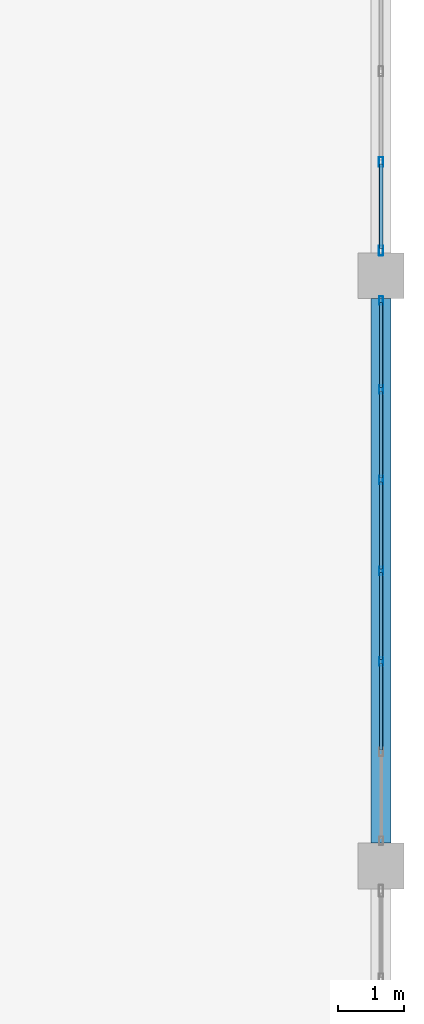
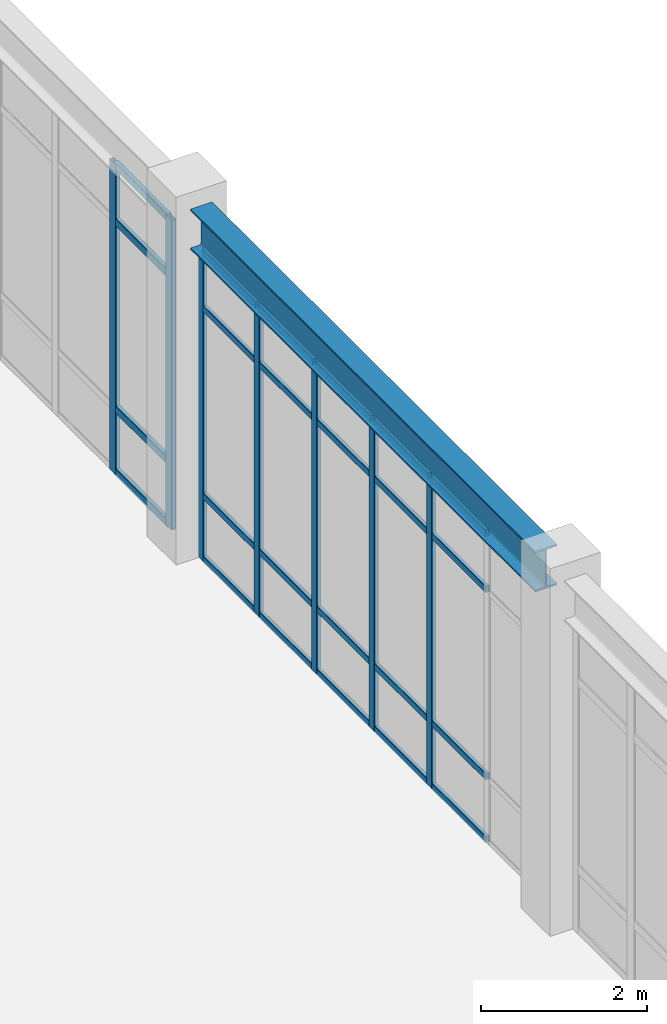
# One storey, part 51 of 80: 31 members, 1 beam, 2 elements without a shape of their own.
"""IFC4 building model written with IfcOpenShell, lengths in metres."""

import ifcopenshell
import ifcopenshell.guid

model = None  # the IFC model being written
_history = None  # IfcOwnerHistory: only IFC2X3 demands one
_inside = {}  # id of a spatial element -> (the spatial element, [elements in it])
_under = {}  # id of a project, library or spatial element -> (it, [spatial elements below it])
_declared = {}  # id of a project -> (the project, [libraries it declares])
_typed = {}  # id of a type object -> (the type object, [elements of that type])
_made_of = {}  # id of a material, layer set ... -> (it, [elements and type objects made of it])


def new_model(schema):
    """Start an empty IFC model of exactly this schema.

    Asked for "IFC4X3", IfcOpenShell would pick the latest addendum, in which some entities
    have other attributes; the version numbers below select the first issue.
    IFC2X3 requires an IfcOwnerHistory on every rooted entity: one is made here for all.
    """
    global model, _history
    if schema == "IFC4X3":
        model = ifcopenshell.file(schema_version=(4, 3, 0, 0))
    else:
        model = ifcopenshell.file(schema=schema)
    _inside.clear()
    _under.clear()
    _declared.clear()
    _typed.clear()
    _made_of.clear()
    _history = None
    if model.schema == "IFC2X3":
        org = make("IfcOrganization", Name="unknown")
        user = make(
            "IfcPersonAndOrganization",
            ThePerson=make("IfcPerson", FamilyName="unknown"),
            TheOrganization=org,
        )
        app = make(
            "IfcApplication",
            ApplicationDeveloper=org,
            Version="unknown",
            ApplicationFullName="unknown",
            ApplicationIdentifier="unknown",
        )
        _history = make(
            "IfcOwnerHistory",
            OwningUser=user,
            OwningApplication=app,
            ChangeAction="ADDED",
            CreationDate=0,
        )
    return model


def make(cls, **values):
    """One entity of the class cls with the attributes given. An attribute that is None is left unset."""
    return model.create_entity(
        cls, **{name: value for name, value in values.items() if value is not None}
    )


def rooted(cls, **values):
    """An entity with a GlobalId (a new one), such as an element, a storey or a relation."""
    return make(cls, GlobalId=ifcopenshell.guid.new(), OwnerHistory=_history, **values)


def si_unit(unit_type, name, prefix=None):
    """IfcSIUnit, for example si_unit("LENGTHUNIT", "METRE", prefix="MILLI")."""
    return make("IfcSIUnit", UnitType=unit_type, Prefix=prefix, Name=name)


def assignment(units):
    """IfcUnitAssignment: the units of a project."""
    return None if units is None else make("IfcUnitAssignment", Units=units)


def point(xyz):
    """IfcCartesianPoint."""
    return None if xyz is None else make("IfcCartesianPoint", Coordinates=xyz)


def direction(xyz):
    """IfcDirection."""
    return None if xyz is None else make("IfcDirection", DirectionRatios=xyz)


def frame(location, z_axis=None, x_axis=None):
    """IfcAxis2Placement3D, a coordinate frame: its origin and axes. An axis left out is left unset."""
    return make(
        "IfcAxis2Placement3D",
        Location=point(location),
        Axis=direction(z_axis),
        RefDirection=direction(x_axis),
    )


def frame_2d(location, x_axis=None):
    """IfcAxis2Placement2D, a coordinate frame in the plane: its origin and x axis."""
    return make(
        "IfcAxis2Placement2D", Location=point(location), RefDirection=direction(x_axis)
    )


def origin():
    """The frame at (0, 0, 0) with its axes left unset."""
    return frame((0.0, 0.0, 0.0))


def origin_2d():
    """The frame at (0, 0) in the plane with its x axis left unset."""
    return frame_2d((0.0, 0.0))


def place(relative_to, where):
    """IfcLocalPlacement: puts the frame where relative to a parent placement (None: the world)."""
    return make(
        "IfcLocalPlacement", PlacementRelTo=relative_to, RelativePlacement=where
    )


def context(
    kind, dimensions, precision=None, world=None, true_north=None, identifier=None
):
    """IfcGeometricRepresentationContext, for example the 3D "Model" context."""
    return make(
        "IfcGeometricRepresentationContext",
        ContextIdentifier=identifier,
        ContextType=kind,
        CoordinateSpaceDimension=dimensions,
        Precision=precision,
        WorldCoordinateSystem=world,
        TrueNorth=true_north,
    )


def subcontext(parent, identifier, kind, view, scale=None):
    """IfcGeometricRepresentationSubContext, for example "Body" below "Model"."""
    return make(
        "IfcGeometricRepresentationSubContext",
        ContextIdentifier=identifier,
        ContextType=kind,
        ParentContext=parent,
        TargetScale=scale,
        TargetView=view,
    )


def project(units=None, contexts=None):
    """IfcProject with its units and contexts."""
    return rooted(
        "IfcProject",
        Name="project",
        RepresentationContexts=contexts,
        UnitsInContext=assignment(units),
    )


def spatial(cls, under=None, at=None, **own):
    """A site, building, storey or space (cls), placed at a placement, below another one or the project."""
    s = rooted(cls, ObjectPlacement=at, **own)
    if under is not None:
        _under.setdefault(under.id(), (under, []))[1].append(s)
    return s


def profile(cls, at=None, kind="AREA", **sizes):
    """A parametric profile (cls). Its sizes go by their IFC names, for example OverallWidth=200.0."""
    return make(cls, ProfileType=kind, Position=at, **sizes)


def hollow_rectangle(**sizes):
    """IfcRectangleHollowProfileDef."""
    return profile("IfcRectangleHollowProfileDef", **sizes)


def i_section(**sizes):
    """IfcIShapeProfileDef."""
    return profile("IfcIShapeProfileDef", **sizes)


def extrude(swept, where, along, depth):
    """IfcExtrudedAreaSolid: the profile swept, set in the frame where, extruded along a direction by depth."""
    return make(
        "IfcExtrudedAreaSolid",
        SweptArea=swept,
        Position=where,
        ExtrudedDirection=direction(along),
        Depth=depth,
    )


def shape(context_of_items, identifier, shape_type, items):
    """IfcShapeRepresentation: the items that make up one representation, for example the "Body"."""
    return make(
        "IfcShapeRepresentation",
        ContextOfItems=context_of_items,
        RepresentationIdentifier=identifier,
        RepresentationType=shape_type,
        Items=items,
    )


def material(Name=None, Category=None):
    """IfcMaterial."""
    return make("IfcMaterial", Name=Name, Category=Category)


def material_profile(
    of_material, cross_section, Name=None, Category=None, Priority=None
):
    """IfcMaterialProfile: a cross section and its material."""
    return make(
        "IfcMaterialProfile",
        Name=Name,
        Material=of_material,
        Profile=cross_section,
        Priority=Priority,
        Category=Category,
    )


def profile_set(profiles, Name=None, composite=None):
    """IfcMaterialProfileSet."""
    return make(
        "IfcMaterialProfileSet",
        Name=Name,
        MaterialProfiles=profiles,
        CompositeProfile=composite,
    )


def made_of(thing, what):
    """Note that an element or type object is made of a material, layer set ...; save() writes the relation."""
    if what is not None:
        _made_of.setdefault(what.id(), (what, []))[1].append(thing)
    return thing


def type_object(cls, material=None, **own):
    """A type object (cls), such as IfcWallType, which elements share."""
    return made_of(rooted(cls, **own), material)


def element(
    cls,
    number,
    at=None,
    inside=None,
    cuts=None,
    type_object=None,
    material=None,
    context=None,
    identifier="Body",
    shape_type=None,
    held_by="IfcProductDefinitionShape",
    body=None,
    shapes=None,
    **own,
):
    """One element of the class cls, such as IfcWall. Its Tag is "e" and its number.

    at: its placement. inside: the storey or other place that contains it. cuts: it is an
    opening in that element (IfcRelVoidsElement). A single representation is given by context,
    identifier, shape_type and body (its items); several are given by shapes. held_by: the class
    of the entity that holds the representations. save() writes the other relations.
    """
    e = rooted(cls, Tag="e%d" % number, ObjectPlacement=at, **own)
    if body is not None:
        shapes = [shape(context, identifier, shape_type, body)]
    if shapes is not None:
        e.Representation = make(held_by, Representations=shapes)
    if inside is not None:
        _inside.setdefault(inside.id(), (inside, []))[1].append(e)
    if cuts is not None:
        rooted(
            "IfcRelVoidsElement", RelatingBuildingElement=cuts, RelatedOpeningElement=e
        )
    if type_object is not None:
        _typed.setdefault(type_object.id(), (type_object, []))[1].append(e)
    return made_of(e, material)


def aggregate(whole, parts):
    """IfcRelAggregates: a whole, such as a stair, and the parts it consists of."""
    return rooted("IfcRelAggregates", RelatingObject=whole, RelatedObjects=parts)


def save(model, path):
    """Write the relations noted so far, then the file.

    IfcRelAggregates (storeys below a building ...), IfcRelContainedInSpatialStructure (elements
    in a storey), IfcRelDefinesByType, IfcRelAssociatesMaterial and IfcRelDeclares: one each for
    every whole, place, type object, material and project.
    """
    for whole, parts in _under.values():
        aggregate(whole, parts)
    for where, things in _inside.values():
        rooted(
            "IfcRelContainedInSpatialStructure",
            RelatedElements=things,
            RelatingStructure=where,
        )
    for kind, things in _typed.values():
        rooted("IfcRelDefinesByType", RelatedObjects=things, RelatingType=kind)
    for what, things in _made_of.values():
        rooted("IfcRelAssociatesMaterial", RelatedObjects=things, RelatingMaterial=what)
    for by, libraries in _declared.values():
        rooted("IfcRelDeclares", RelatingContext=by, RelatedDefinitions=libraries)
    model.write(path)


model = new_model("IFC4")

# Units and contexts
model_context = context("Model", 3, precision=1e-05, world=origin(), true_north=direction((0.0, 1.0)))
body_context = subcontext(model_context, "Body", "Model", "MODEL_VIEW")
ifc_project = project(units=[si_unit("LENGTHUNIT", "METRE"), si_unit("AREAUNIT", "SQUARE_METRE"), si_unit("VOLUMEUNIT", "CUBIC_METRE"), si_unit("PLANEANGLEUNIT", "RADIAN"), si_unit("MASSUNIT", "GRAM", prefix="KILO")], contexts=[model_context])

# Site, building, storey
site_placement = place(None, origin())
site = spatial("IfcSite", under=ifc_project, at=site_placement, CompositionType="ELEMENT")
building_placement = place(site_placement, origin())
building = spatial("IfcBuilding", under=site, at=building_placement, Name="Canglan Escarpment Cableway Terminal", CompositionType="ELEMENT")
storey_placement = place(building_placement, frame((0.0, 0.0, 19.199951171875)))
storey = spatial("IfcBuildingStorey", under=building, at=storey_placement, Name="L04", CompositionType="ELEMENT", Elevation=19.199951171875)

# Beam
ifc_material_1 = material(Name="Steel Q355C", Category="steel")
ifc_material_profile_1 = material_profile(ifc_material_1, i_section(OverallWidth=0.302001953125, OverallDepth=0.593994140625, WebThickness=0.013916015625, FlangeThickness=0.02294921875, FilletRadius=0.028076171875, at=origin_2d()), Name="HM 594x302x14x23")
ifc_profile_set_1 = profile_set([ifc_material_profile_1], Name="Steel Q355C")
beam_type = type_object("IfcBeamType", Name="BM-HM594", PredefinedType="BEAM", material=ifc_profile_set_1)
beam_placement = place(storey_placement, frame((166.39990234375, 106.35009765625, 4.863037109375), z_axis=(0.0, 1.0, 0.0), x_axis=(-1.0, 0.0, 0.0)))
element("IfcBeam", 1, at=beam_placement, inside=storey, type_object=beam_type, Name="Primary transverse girder B-07", PredefinedType="BEAM", context=body_context, shape_type="SweptSolid", body=[
    extrude(i_section(OverallWidth=0.302001953125, OverallDepth=0.593994140625, WebThickness=0.013916015625, FlangeThickness=0.02294921875, FilletRadius=0.028076171875, at=origin_2d()), origin(), (0.0, 0.0, 1.0), 8.2998046875),
])

# Curtain wall, members
ifc_material_2 = material(Name="Anodized bronze aluminium and Low-E double glazing", Category="aluminium")
curtain_wall_type = type_object("IfcCurtainWallType", Name="CW-BAY-8300x4550", PredefinedType="NOTDEFINED", material=ifc_material_2)
curtain_wall_1_placement = place(storey_placement, origin())
curtain_wall_1 = element("IfcCurtainWall", 2, at=curtain_wall_1_placement, inside=storey, type_object=curtain_wall_type, Name="Classical bay-between-piers glazed curtain wall CW-64", PredefinedType="NOTDEFINED")
ifc_material_3 = material(Name="Thermally broken anodized aluminium 6063-T6", Category="aluminium")
ifc_material_profile_2 = material_profile(ifc_material_3, hollow_rectangle(XDim=0.06005859375, YDim=0.1298828125, WallThickness=0.0029296875, InnerFilletRadius=0.0029296875, OuterFilletRadius=0.006103515625, at=origin_2d()), Name="ALU-MULL 60x130x3")
ifc_profile_set_2 = profile_set([ifc_material_profile_2], Name="Thermally broken anodized aluminium 6063-T6")
member_type_1 = type_object("IfcMemberType", Name="CWM-01", PredefinedType="MULLION", material=ifc_profile_set_2)
member_1_placement = place(storey_placement, frame((166.39990234375, 109.11669921875, 0.0), z_axis=(0.0, 0.0, 1.0), x_axis=(-1.0, 0.0, 0.0)))
member_1 = element("IfcMember", 3, at=member_1_placement, type_object=member_type_1, Name="CW-64 mullion 3", PredefinedType="MULLION", context=body_context, shape_type="SweptSolid", body=[
    extrude(hollow_rectangle(XDim=0.06005859375, YDim=0.1298828125, WallThickness=0.0029296875, InnerFilletRadius=0.0029296875, OuterFilletRadius=0.006103515625, at=origin_2d()), origin(), (0.0, 0.0, 1.0), 4.551025390625),
])
member_2_placement = place(storey_placement, frame((166.39990234375, 110.5, 0.0), z_axis=(0.0, 0.0, 1.0), x_axis=(-1.0, 0.0, 0.0)))
member_2 = element("IfcMember", 4, at=member_2_placement, type_object=member_type_1, Name="CW-64 mullion 4", PredefinedType="MULLION", context=body_context, shape_type="SweptSolid", body=[
    extrude(hollow_rectangle(XDim=0.06005859375, YDim=0.1298828125, WallThickness=0.0029296875, InnerFilletRadius=0.0029296875, OuterFilletRadius=0.006103515625, at=origin_2d()), origin(), (0.0, 0.0, 1.0), 4.551025390625),
])
member_3_placement = place(storey_placement, frame((166.39990234375, 111.88330078125, 0.0), z_axis=(0.0, 0.0, 1.0), x_axis=(-1.0, 0.0, 0.0)))
member_3 = element("IfcMember", 5, at=member_3_placement, type_object=member_type_1, Name="CW-64 mullion 5", PredefinedType="MULLION", context=body_context, shape_type="SweptSolid", body=[
    extrude(hollow_rectangle(XDim=0.06005859375, YDim=0.1298828125, WallThickness=0.0029296875, InnerFilletRadius=0.0029296875, OuterFilletRadius=0.006103515625, at=origin_2d()), origin(), (0.0, 0.0, 1.0), 4.551025390625),
])
member_4_placement = place(storey_placement, frame((166.39990234375, 113.2666015625, 0.0), z_axis=(0.0, 0.0, 1.0), x_axis=(-1.0, 0.0, 0.0)))
member_4 = element("IfcMember", 6, at=member_4_placement, type_object=member_type_1, Name="CW-64 mullion 6", PredefinedType="MULLION", context=body_context, shape_type="SweptSolid", body=[
    extrude(hollow_rectangle(XDim=0.06005859375, YDim=0.1298828125, WallThickness=0.0029296875, InnerFilletRadius=0.0029296875, OuterFilletRadius=0.006103515625, at=origin_2d()), origin(), (0.0, 0.0, 1.0), 4.551025390625),
])
member_5_placement = place(storey_placement, frame((166.39990234375, 114.6201171875, 0.0), z_axis=(0.0, 0.0, 1.0), x_axis=(-1.0, 0.0, 0.0)))
member_5 = element("IfcMember", 7, at=member_5_placement, type_object=member_type_1, Name="CW-64 mullion 7", PredefinedType="MULLION", context=body_context, shape_type="SweptSolid", body=[
    extrude(hollow_rectangle(XDim=0.06005859375, YDim=0.1298828125, WallThickness=0.0029296875, InnerFilletRadius=0.0029296875, OuterFilletRadius=0.006103515625, at=origin_2d()), origin(), (0.0, 0.0, 1.0), 4.551025390625),
])

curtain_wall_2_placement = place(storey_placement, origin())
curtain_wall_2 = element("IfcCurtainWall", 8, at=curtain_wall_2_placement, inside=storey, type_object=curtain_wall_type, Name="Classical bay-between-piers glazed curtain wall CW-64", PredefinedType="NOTDEFINED")
ifc_material_profile_3 = material_profile(ifc_material_3, hollow_rectangle(XDim=0.06494140625, YDim=0.14990234375, WallThickness=0.00341796875, InnerFilletRadius=0.00341796875, OuterFilletRadius=0.007080078125, at=origin_2d()), Name="ALU-MULL 65x150x3.5")
ifc_profile_set_3 = profile_set([ifc_material_profile_3], Name="Thermally broken anodized aluminium 6063-T6")
member_type_2 = type_object("IfcMemberType", Name="CWM-02", PredefinedType="MULLION", material=ifc_profile_set_3)
member_6_placement = place(storey_placement, frame((166.39990234375, 115.382568359375, 0.0), z_axis=(0.0, 0.0, 1.0), x_axis=(-1.0, 0.0, 0.0)))
member_6 = element("IfcMember", 9, at=member_6_placement, type_object=member_type_2, Name="CW-64 mullion 1", PredefinedType="MULLION", context=body_context, shape_type="SweptSolid", body=[
    extrude(hollow_rectangle(XDim=0.06494140625, YDim=0.14990234375, WallThickness=0.00341796875, InnerFilletRadius=0.00341796875, OuterFilletRadius=0.007080078125, at=origin_2d()), origin(), (0.0, 0.0, 1.0), 4.551025390625),
])
member_7_placement = place(storey_placement, frame((166.39990234375, 116.7333984375, 0.0), z_axis=(0.0, 0.0, 1.0), x_axis=(-1.0, 0.0, 0.0)))
member_7 = element("IfcMember", 10, at=member_7_placement, type_object=member_type_2, Name="CW-64 mullion 2", PredefinedType="MULLION", context=body_context, shape_type="SweptSolid", body=[
    extrude(hollow_rectangle(XDim=0.06494140625, YDim=0.14990234375, WallThickness=0.00341796875, InnerFilletRadius=0.00341796875, OuterFilletRadius=0.007080078125, at=origin_2d()), origin(), (0.0, 0.0, 1.0), 4.551025390625),
])

# Member
ifc_material_profile_4 = material_profile(ifc_material_3, hollow_rectangle(XDim=0.054931640625, YDim=0.094970703125, WallThickness=0.0029296875, InnerFilletRadius=0.0029296875, OuterFilletRadius=0.006103515625, at=origin_2d()), Name="ALU-TRAN 55x95x3")
ifc_profile_set_4 = profile_set([ifc_material_profile_4], Name="Thermally broken anodized aluminium 6063-T6")
member_type_3 = type_object("IfcMemberType", Name="CWT-01", PredefinedType="USERDEFINED", material=ifc_profile_set_4)
member_8_placement = place(storey_placement, frame((166.39990234375, 107.763427734375, 0.027587890625), z_axis=(0.0, 1.0, 0.0), x_axis=(-1.0, 0.0, 0.0)))
member_8 = element("IfcMember", 11, at=member_8_placement, type_object=member_type_3, Name="CW-64 transom 2.1", ObjectType="TRANSOM", PredefinedType="USERDEFINED", context=body_context, shape_type="SweptSolid", body=[
    extrude(hollow_rectangle(XDim=0.054931640625, YDim=0.094970703125, WallThickness=0.0029296875, InnerFilletRadius=0.0029296875, OuterFilletRadius=0.006103515625, at=origin_2d()), origin(), (0.0, 0.0, 1.0), 1.3232421875),
])

member_9_placement = place(storey_placement, frame((166.39990234375, 107.763427734375, 0.949951171875), z_axis=(0.0, 1.0, 0.0), x_axis=(-1.0, 0.0, 0.0)))
member_9 = element("IfcMember", 12, at=member_9_placement, type_object=member_type_3, Name="CW-64 transom 2.2", ObjectType="TRANSOM", PredefinedType="USERDEFINED", context=body_context, shape_type="SweptSolid", body=[
    extrude(hollow_rectangle(XDim=0.054931640625, YDim=0.094970703125, WallThickness=0.0029296875, InnerFilletRadius=0.0029296875, OuterFilletRadius=0.006103515625, at=origin_2d()), origin(), (0.0, 0.0, 1.0), 1.3232421875),
])

member_10_placement = place(storey_placement, frame((166.39990234375, 107.763427734375, 3.700927734375), z_axis=(0.0, 1.0, 0.0), x_axis=(-1.0, 0.0, 0.0)))
member_10 = element("IfcMember", 13, at=member_10_placement, type_object=member_type_3, Name="CW-64 transom 2.3", ObjectType="TRANSOM", PredefinedType="USERDEFINED", context=body_context, shape_type="SweptSolid", body=[
    extrude(hollow_rectangle(XDim=0.054931640625, YDim=0.094970703125, WallThickness=0.0029296875, InnerFilletRadius=0.0029296875, OuterFilletRadius=0.006103515625, at=origin_2d()), origin(), (0.0, 0.0, 1.0), 1.3232421875),
])

member_11_placement = place(storey_placement, frame((166.39990234375, 107.763427734375, 4.5234375), z_axis=(0.0, 1.0, 0.0), x_axis=(-1.0, 0.0, 0.0)))
member_11 = element("IfcMember", 14, at=member_11_placement, type_object=member_type_3, Name="CW-64 transom 2.4", ObjectType="TRANSOM", PredefinedType="USERDEFINED", context=body_context, shape_type="SweptSolid", body=[
    extrude(hollow_rectangle(XDim=0.054931640625, YDim=0.094970703125, WallThickness=0.0029296875, InnerFilletRadius=0.0029296875, OuterFilletRadius=0.006103515625, at=origin_2d()), origin(), (0.0, 0.0, 1.0), 1.3232421875),
])

member_12_placement = place(storey_placement, frame((166.39990234375, 109.146728515625, 0.027587890625), z_axis=(0.0, 1.0, 0.0), x_axis=(-1.0, 0.0, 0.0)))
member_12 = element("IfcMember", 15, at=member_12_placement, type_object=member_type_3, Name="CW-64 transom 3.1", ObjectType="TRANSOM", PredefinedType="USERDEFINED", context=body_context, shape_type="SweptSolid", body=[
    extrude(hollow_rectangle(XDim=0.054931640625, YDim=0.094970703125, WallThickness=0.0029296875, InnerFilletRadius=0.0029296875, OuterFilletRadius=0.006103515625, at=origin_2d()), origin(), (0.0, 0.0, 1.0), 1.3232421875),
])

member_13_placement = place(storey_placement, frame((166.39990234375, 109.146728515625, 0.949951171875), z_axis=(0.0, 1.0, 0.0), x_axis=(-1.0, 0.0, 0.0)))
member_13 = element("IfcMember", 16, at=member_13_placement, type_object=member_type_3, Name="CW-64 transom 3.2", ObjectType="TRANSOM", PredefinedType="USERDEFINED", context=body_context, shape_type="SweptSolid", body=[
    extrude(hollow_rectangle(XDim=0.054931640625, YDim=0.094970703125, WallThickness=0.0029296875, InnerFilletRadius=0.0029296875, OuterFilletRadius=0.006103515625, at=origin_2d()), origin(), (0.0, 0.0, 1.0), 1.3232421875),
])

member_14_placement = place(storey_placement, frame((166.39990234375, 109.146728515625, 3.700927734375), z_axis=(0.0, 1.0, 0.0), x_axis=(-1.0, 0.0, 0.0)))
member_14 = element("IfcMember", 17, at=member_14_placement, type_object=member_type_3, Name="CW-64 transom 3.3", ObjectType="TRANSOM", PredefinedType="USERDEFINED", context=body_context, shape_type="SweptSolid", body=[
    extrude(hollow_rectangle(XDim=0.054931640625, YDim=0.094970703125, WallThickness=0.0029296875, InnerFilletRadius=0.0029296875, OuterFilletRadius=0.006103515625, at=origin_2d()), origin(), (0.0, 0.0, 1.0), 1.3232421875),
])

member_15_placement = place(storey_placement, frame((166.39990234375, 109.146728515625, 4.5234375), z_axis=(0.0, 1.0, 0.0), x_axis=(-1.0, 0.0, 0.0)))
member_15 = element("IfcMember", 18, at=member_15_placement, type_object=member_type_3, Name="CW-64 transom 3.4", ObjectType="TRANSOM", PredefinedType="USERDEFINED", context=body_context, shape_type="SweptSolid", body=[
    extrude(hollow_rectangle(XDim=0.054931640625, YDim=0.094970703125, WallThickness=0.0029296875, InnerFilletRadius=0.0029296875, OuterFilletRadius=0.006103515625, at=origin_2d()), origin(), (0.0, 0.0, 1.0), 1.3232421875),
])

member_16_placement = place(storey_placement, frame((166.39990234375, 110.530029296875, 0.027587890625), z_axis=(0.0, 1.0, 0.0), x_axis=(-1.0, 0.0, 0.0)))
member_16 = element("IfcMember", 19, at=member_16_placement, type_object=member_type_3, Name="CW-64 transom 4.1", ObjectType="TRANSOM", PredefinedType="USERDEFINED", context=body_context, shape_type="SweptSolid", body=[
    extrude(hollow_rectangle(XDim=0.054931640625, YDim=0.094970703125, WallThickness=0.0029296875, InnerFilletRadius=0.0029296875, OuterFilletRadius=0.006103515625, at=origin_2d()), origin(), (0.0, 0.0, 1.0), 1.3232421875),
])

member_17_placement = place(storey_placement, frame((166.39990234375, 110.530029296875, 0.949951171875), z_axis=(0.0, 1.0, 0.0), x_axis=(-1.0, 0.0, 0.0)))
member_17 = element("IfcMember", 20, at=member_17_placement, type_object=member_type_3, Name="CW-64 transom 4.2", ObjectType="TRANSOM", PredefinedType="USERDEFINED", context=body_context, shape_type="SweptSolid", body=[
    extrude(hollow_rectangle(XDim=0.054931640625, YDim=0.094970703125, WallThickness=0.0029296875, InnerFilletRadius=0.0029296875, OuterFilletRadius=0.006103515625, at=origin_2d()), origin(), (0.0, 0.0, 1.0), 1.3232421875),
])

member_18_placement = place(storey_placement, frame((166.39990234375, 110.530029296875, 3.700927734375), z_axis=(0.0, 1.0, 0.0), x_axis=(-1.0, 0.0, 0.0)))
member_18 = element("IfcMember", 21, at=member_18_placement, type_object=member_type_3, Name="CW-64 transom 4.3", ObjectType="TRANSOM", PredefinedType="USERDEFINED", context=body_context, shape_type="SweptSolid", body=[
    extrude(hollow_rectangle(XDim=0.054931640625, YDim=0.094970703125, WallThickness=0.0029296875, InnerFilletRadius=0.0029296875, OuterFilletRadius=0.006103515625, at=origin_2d()), origin(), (0.0, 0.0, 1.0), 1.3232421875),
])

member_19_placement = place(storey_placement, frame((166.39990234375, 110.530029296875, 4.5234375), z_axis=(0.0, 1.0, 0.0), x_axis=(-1.0, 0.0, 0.0)))
member_19 = element("IfcMember", 22, at=member_19_placement, type_object=member_type_3, Name="CW-64 transom 4.4", ObjectType="TRANSOM", PredefinedType="USERDEFINED", context=body_context, shape_type="SweptSolid", body=[
    extrude(hollow_rectangle(XDim=0.054931640625, YDim=0.094970703125, WallThickness=0.0029296875, InnerFilletRadius=0.0029296875, OuterFilletRadius=0.006103515625, at=origin_2d()), origin(), (0.0, 0.0, 1.0), 1.3232421875),
])

member_20_placement = place(storey_placement, frame((166.39990234375, 111.913330078125, 0.027587890625), z_axis=(0.0, 1.0, 0.0), x_axis=(-1.0, 0.0, 0.0)))
member_20 = element("IfcMember", 23, at=member_20_placement, type_object=member_type_3, Name="CW-64 transom 5.1", ObjectType="TRANSOM", PredefinedType="USERDEFINED", context=body_context, shape_type="SweptSolid", body=[
    extrude(hollow_rectangle(XDim=0.054931640625, YDim=0.094970703125, WallThickness=0.0029296875, InnerFilletRadius=0.0029296875, OuterFilletRadius=0.006103515625, at=origin_2d()), origin(), (0.0, 0.0, 1.0), 1.3232421875),
])

member_21_placement = place(storey_placement, frame((166.39990234375, 111.913330078125, 0.949951171875), z_axis=(0.0, 1.0, 0.0), x_axis=(-1.0, 0.0, 0.0)))
member_21 = element("IfcMember", 24, at=member_21_placement, type_object=member_type_3, Name="CW-64 transom 5.2", ObjectType="TRANSOM", PredefinedType="USERDEFINED", context=body_context, shape_type="SweptSolid", body=[
    extrude(hollow_rectangle(XDim=0.054931640625, YDim=0.094970703125, WallThickness=0.0029296875, InnerFilletRadius=0.0029296875, OuterFilletRadius=0.006103515625, at=origin_2d()), origin(), (0.0, 0.0, 1.0), 1.3232421875),
])

member_22_placement = place(storey_placement, frame((166.39990234375, 111.913330078125, 3.700927734375), z_axis=(0.0, 1.0, 0.0), x_axis=(-1.0, 0.0, 0.0)))
member_22 = element("IfcMember", 25, at=member_22_placement, type_object=member_type_3, Name="CW-64 transom 5.3", ObjectType="TRANSOM", PredefinedType="USERDEFINED", context=body_context, shape_type="SweptSolid", body=[
    extrude(hollow_rectangle(XDim=0.054931640625, YDim=0.094970703125, WallThickness=0.0029296875, InnerFilletRadius=0.0029296875, OuterFilletRadius=0.006103515625, at=origin_2d()), origin(), (0.0, 0.0, 1.0), 1.3232421875),
])

member_23_placement = place(storey_placement, frame((166.39990234375, 111.913330078125, 4.5234375), z_axis=(0.0, 1.0, 0.0), x_axis=(-1.0, 0.0, 0.0)))
member_23 = element("IfcMember", 26, at=member_23_placement, type_object=member_type_3, Name="CW-64 transom 5.4", ObjectType="TRANSOM", PredefinedType="USERDEFINED", context=body_context, shape_type="SweptSolid", body=[
    extrude(hollow_rectangle(XDim=0.054931640625, YDim=0.094970703125, WallThickness=0.0029296875, InnerFilletRadius=0.0029296875, OuterFilletRadius=0.006103515625, at=origin_2d()), origin(), (0.0, 0.0, 1.0), 1.3232421875),
])

member_24_placement = place(storey_placement, frame((166.39990234375, 113.296630859375, 0.027587890625), z_axis=(0.0, 1.0, 0.0), x_axis=(-1.0, 0.0, 0.0)))
member_24 = element("IfcMember", 27, at=member_24_placement, type_object=member_type_3, Name="CW-64 transom 6.1", ObjectType="TRANSOM", PredefinedType="USERDEFINED", context=body_context, shape_type="SweptSolid", body=[
    extrude(hollow_rectangle(XDim=0.054931640625, YDim=0.094970703125, WallThickness=0.0029296875, InnerFilletRadius=0.0029296875, OuterFilletRadius=0.006103515625, at=origin_2d()), origin(), (0.0, 0.0, 1.0), 1.29345703125),
])

member_25_placement = place(storey_placement, frame((166.39990234375, 113.296630859375, 0.949951171875), z_axis=(0.0, 1.0, 0.0), x_axis=(-1.0, 0.0, 0.0)))
member_25 = element("IfcMember", 28, at=member_25_placement, type_object=member_type_3, Name="CW-64 transom 6.2", ObjectType="TRANSOM", PredefinedType="USERDEFINED", context=body_context, shape_type="SweptSolid", body=[
    extrude(hollow_rectangle(XDim=0.054931640625, YDim=0.094970703125, WallThickness=0.0029296875, InnerFilletRadius=0.0029296875, OuterFilletRadius=0.006103515625, at=origin_2d()), origin(), (0.0, 0.0, 1.0), 1.29345703125),
])

member_26_placement = place(storey_placement, frame((166.39990234375, 113.296630859375, 3.700927734375), z_axis=(0.0, 1.0, 0.0), x_axis=(-1.0, 0.0, 0.0)))
member_26 = element("IfcMember", 29, at=member_26_placement, type_object=member_type_3, Name="CW-64 transom 6.3", ObjectType="TRANSOM", PredefinedType="USERDEFINED", context=body_context, shape_type="SweptSolid", body=[
    extrude(hollow_rectangle(XDim=0.054931640625, YDim=0.094970703125, WallThickness=0.0029296875, InnerFilletRadius=0.0029296875, OuterFilletRadius=0.006103515625, at=origin_2d()), origin(), (0.0, 0.0, 1.0), 1.29345703125),
])

member_27_placement = place(storey_placement, frame((166.39990234375, 113.296630859375, 4.5234375), z_axis=(0.0, 1.0, 0.0), x_axis=(-1.0, 0.0, 0.0)))
member_27 = element("IfcMember", 30, at=member_27_placement, type_object=member_type_3, Name="CW-64 transom 6.4", ObjectType="TRANSOM", PredefinedType="USERDEFINED", context=body_context, shape_type="SweptSolid", body=[
    extrude(hollow_rectangle(XDim=0.054931640625, YDim=0.094970703125, WallThickness=0.0029296875, InnerFilletRadius=0.0029296875, OuterFilletRadius=0.006103515625, at=origin_2d()), origin(), (0.0, 0.0, 1.0), 1.29345703125),
])

aggregate(curtain_wall_1, [member_1, member_2, member_3, member_4, member_5, member_8, member_9, member_10, member_11, member_12, member_13, member_14, member_15, member_16, member_17, member_18, member_19, member_20, member_21, member_22, member_23, member_24, member_25, member_26, member_27])

ifc_material_profile_5 = material_profile(ifc_material_3, hollow_rectangle(XDim=0.06005859375, YDim=0.110107421875, WallThickness=0.0029296875, InnerFilletRadius=0.0029296875, OuterFilletRadius=0.006103515625, at=origin_2d()), Name="ALU-TRAN 60x110x3")
ifc_profile_set_5 = profile_set([ifc_material_profile_5], Name="Thermally broken anodized aluminium 6063-T6")
member_type_4 = type_object("IfcMemberType", Name="CWT-02", PredefinedType="USERDEFINED", material=ifc_profile_set_5)
member_28_placement = place(storey_placement, frame((166.39990234375, 115.4150390625, 0.030029296875), z_axis=(0.0, 1.0, 0.0), x_axis=(-1.0, 0.0, 0.0)))
member_28 = element("IfcMember", 31, at=member_28_placement, type_object=member_type_4, Name="CW-64 transom 1.1", ObjectType="TRANSOM", PredefinedType="USERDEFINED", context=body_context, shape_type="SweptSolid", body=[
    extrude(hollow_rectangle(XDim=0.06005859375, YDim=0.110107421875, WallThickness=0.0029296875, InnerFilletRadius=0.0029296875, OuterFilletRadius=0.006103515625, at=origin_2d()), origin(), (0.0, 0.0, 1.0), 1.285888671875),
])

member_29_placement = place(storey_placement, frame((166.39990234375, 115.4150390625, 0.949951171875), z_axis=(0.0, 1.0, 0.0), x_axis=(-1.0, 0.0, 0.0)))
member_29 = element("IfcMember", 32, at=member_29_placement, type_object=member_type_4, Name="CW-64 transom 1.2", ObjectType="TRANSOM", PredefinedType="USERDEFINED", context=body_context, shape_type="SweptSolid", body=[
    extrude(hollow_rectangle(XDim=0.06005859375, YDim=0.110107421875, WallThickness=0.0029296875, InnerFilletRadius=0.0029296875, OuterFilletRadius=0.006103515625, at=origin_2d()), origin(), (0.0, 0.0, 1.0), 1.285888671875),
])

member_30_placement = place(storey_placement, frame((166.39990234375, 115.4150390625, 3.700927734375), z_axis=(0.0, 1.0, 0.0), x_axis=(-1.0, 0.0, 0.0)))
member_30 = element("IfcMember", 33, at=member_30_placement, type_object=member_type_4, Name="CW-64 transom 1.3", ObjectType="TRANSOM", PredefinedType="USERDEFINED", context=body_context, shape_type="SweptSolid", body=[
    extrude(hollow_rectangle(XDim=0.06005859375, YDim=0.110107421875, WallThickness=0.0029296875, InnerFilletRadius=0.0029296875, OuterFilletRadius=0.006103515625, at=origin_2d()), origin(), (0.0, 0.0, 1.0), 1.285888671875),
])

member_31_placement = place(storey_placement, frame((166.39990234375, 115.4150390625, 4.52099609375), z_axis=(0.0, 1.0, 0.0), x_axis=(-1.0, 0.0, 0.0)))
member_31 = element("IfcMember", 34, at=member_31_placement, type_object=member_type_4, Name="CW-64 transom 1.4", ObjectType="TRANSOM", PredefinedType="USERDEFINED", context=body_context, shape_type="SweptSolid", body=[
    extrude(hollow_rectangle(XDim=0.06005859375, YDim=0.110107421875, WallThickness=0.0029296875, InnerFilletRadius=0.0029296875, OuterFilletRadius=0.006103515625, at=origin_2d()), origin(), (0.0, 0.0, 1.0), 1.285888671875),
])

aggregate(curtain_wall_2, [member_6, member_7, member_28, member_29, member_30, member_31])

save(model, "model.ifc")
